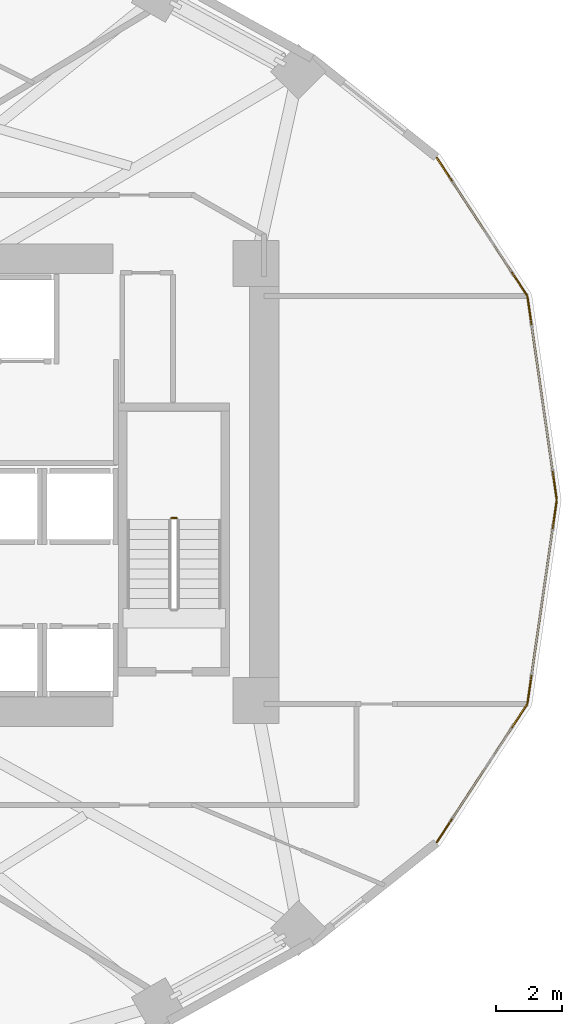
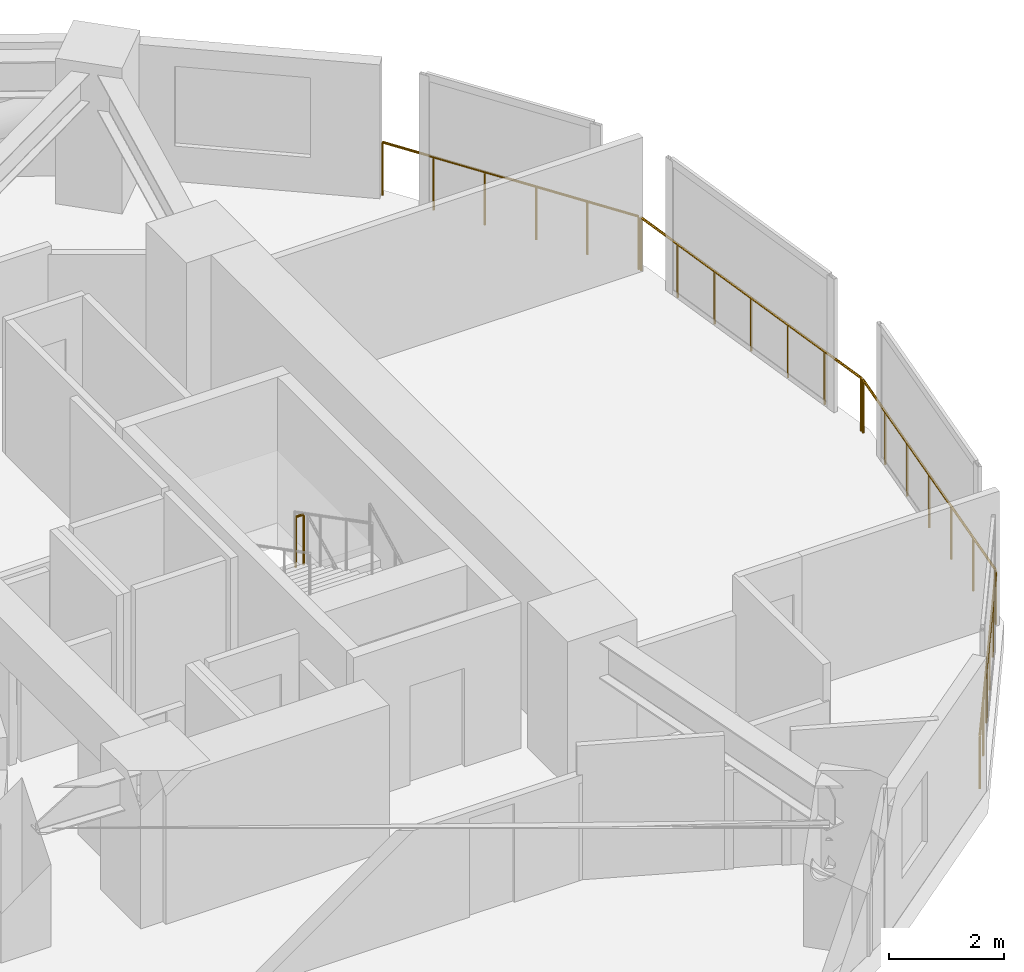
# One storey, part 14 of 15: 5 railings.
"""IFC4 building model written with IfcOpenShell, lengths in metres."""

import ifcopenshell
import ifcopenshell.guid

model = None  # the IFC model being written
_history = None  # IfcOwnerHistory: only IFC2X3 demands one
_inside = {}  # id of a spatial element -> (the spatial element, [elements in it])
_under = {}  # id of a project, library or spatial element -> (it, [spatial elements below it])
_declared = {}  # id of a project -> (the project, [libraries it declares])
_typed = {}  # id of a type object -> (the type object, [elements of that type])
_made_of = {}  # id of a material, layer set ... -> (it, [elements and type objects made of it])


def new_model(schema):
    """Start an empty IFC model of exactly this schema.

    Asked for "IFC4X3", IfcOpenShell would pick the latest addendum, in which some entities
    have other attributes; the version numbers below select the first issue.
    IFC2X3 requires an IfcOwnerHistory on every rooted entity: one is made here for all.
    """
    global model, _history
    if schema == "IFC4X3":
        model = ifcopenshell.file(schema_version=(4, 3, 0, 0))
    else:
        model = ifcopenshell.file(schema=schema)
    _inside.clear()
    _under.clear()
    _declared.clear()
    _typed.clear()
    _made_of.clear()
    _history = None
    if model.schema == "IFC2X3":
        org = make("IfcOrganization", Name="unknown")
        user = make(
            "IfcPersonAndOrganization",
            ThePerson=make("IfcPerson", FamilyName="unknown"),
            TheOrganization=org,
        )
        app = make(
            "IfcApplication",
            ApplicationDeveloper=org,
            Version="unknown",
            ApplicationFullName="unknown",
            ApplicationIdentifier="unknown",
        )
        _history = make(
            "IfcOwnerHistory",
            OwningUser=user,
            OwningApplication=app,
            ChangeAction="ADDED",
            CreationDate=0,
        )
    return model


def make(cls, **values):
    """One entity of the class cls with the attributes given. An attribute that is None is left unset."""
    return model.create_entity(
        cls, **{name: value for name, value in values.items() if value is not None}
    )


def rooted(cls, **values):
    """An entity with a GlobalId (a new one), such as an element, a storey or a relation."""
    return make(cls, GlobalId=ifcopenshell.guid.new(), OwnerHistory=_history, **values)


def si_unit(unit_type, name, prefix=None):
    """IfcSIUnit, for example si_unit("LENGTHUNIT", "METRE", prefix="MILLI")."""
    return make("IfcSIUnit", UnitType=unit_type, Prefix=prefix, Name=name)


def assignment(units):
    """IfcUnitAssignment: the units of a project."""
    return None if units is None else make("IfcUnitAssignment", Units=units)


def point(xyz):
    """IfcCartesianPoint."""
    return None if xyz is None else make("IfcCartesianPoint", Coordinates=xyz)


def direction(xyz):
    """IfcDirection."""
    return None if xyz is None else make("IfcDirection", DirectionRatios=xyz)


def frame(location, z_axis=None, x_axis=None):
    """IfcAxis2Placement3D, a coordinate frame: its origin and axes. An axis left out is left unset."""
    return make(
        "IfcAxis2Placement3D",
        Location=point(location),
        Axis=direction(z_axis),
        RefDirection=direction(x_axis),
    )


def frame_2d(location, x_axis=None):
    """IfcAxis2Placement2D, a coordinate frame in the plane: its origin and x axis."""
    return make(
        "IfcAxis2Placement2D", Location=point(location), RefDirection=direction(x_axis)
    )


def origin():
    """The frame at (0, 0, 0) with its axes left unset."""
    return frame((0.0, 0.0, 0.0))


def origin_2d():
    """The frame at (0, 0) in the plane with its x axis left unset."""
    return frame_2d((0.0, 0.0))


def place(relative_to, where):
    """IfcLocalPlacement: puts the frame where relative to a parent placement (None: the world)."""
    return make(
        "IfcLocalPlacement", PlacementRelTo=relative_to, RelativePlacement=where
    )


def context(
    kind, dimensions, precision=None, world=None, true_north=None, identifier=None
):
    """IfcGeometricRepresentationContext, for example the 3D "Model" context."""
    return make(
        "IfcGeometricRepresentationContext",
        ContextIdentifier=identifier,
        ContextType=kind,
        CoordinateSpaceDimension=dimensions,
        Precision=precision,
        WorldCoordinateSystem=world,
        TrueNorth=true_north,
    )


def subcontext(parent, identifier, kind, view, scale=None):
    """IfcGeometricRepresentationSubContext, for example "Body" below "Model"."""
    return make(
        "IfcGeometricRepresentationSubContext",
        ContextIdentifier=identifier,
        ContextType=kind,
        ParentContext=parent,
        TargetScale=scale,
        TargetView=view,
    )


def project(units=None, contexts=None):
    """IfcProject with its units and contexts."""
    return rooted(
        "IfcProject",
        Name="project",
        RepresentationContexts=contexts,
        UnitsInContext=assignment(units),
    )


def spatial(cls, under=None, at=None, **own):
    """A site, building, storey or space (cls), placed at a placement, below another one or the project."""
    s = rooted(cls, ObjectPlacement=at, **own)
    if under is not None:
        _under.setdefault(under.id(), (under, []))[1].append(s)
    return s


def profile(cls, at=None, kind="AREA", **sizes):
    """A parametric profile (cls). Its sizes go by their IFC names, for example OverallWidth=200.0."""
    return make(cls, ProfileType=kind, Position=at, **sizes)


def circle(**sizes):
    """IfcCircleProfileDef."""
    return profile("IfcCircleProfileDef", **sizes)


def extrude(swept, where, along, depth):
    """IfcExtrudedAreaSolid: the profile swept, set in the frame where, extruded along a direction by depth."""
    return make(
        "IfcExtrudedAreaSolid",
        SweptArea=swept,
        Position=where,
        ExtrudedDirection=direction(along),
        Depth=depth,
    )


def shape(context_of_items, identifier, shape_type, items):
    """IfcShapeRepresentation: the items that make up one representation, for example the "Body"."""
    return make(
        "IfcShapeRepresentation",
        ContextOfItems=context_of_items,
        RepresentationIdentifier=identifier,
        RepresentationType=shape_type,
        Items=items,
    )


def material(Name=None, Category=None):
    """IfcMaterial."""
    return make("IfcMaterial", Name=Name, Category=Category)


def made_of(thing, what):
    """Note that an element or type object is made of a material, layer set ...; save() writes the relation."""
    if what is not None:
        _made_of.setdefault(what.id(), (what, []))[1].append(thing)
    return thing


def type_object(cls, material=None, **own):
    """A type object (cls), such as IfcWallType, which elements share."""
    return made_of(rooted(cls, **own), material)


def element(
    cls,
    number,
    at=None,
    inside=None,
    cuts=None,
    type_object=None,
    material=None,
    context=None,
    identifier="Body",
    shape_type=None,
    held_by="IfcProductDefinitionShape",
    body=None,
    shapes=None,
    **own,
):
    """One element of the class cls, such as IfcWall. Its Tag is "e" and its number.

    at: its placement. inside: the storey or other place that contains it. cuts: it is an
    opening in that element (IfcRelVoidsElement). A single representation is given by context,
    identifier, shape_type and body (its items); several are given by shapes. held_by: the class
    of the entity that holds the representations. save() writes the other relations.
    """
    e = rooted(cls, Tag="e%d" % number, ObjectPlacement=at, **own)
    if body is not None:
        shapes = [shape(context, identifier, shape_type, body)]
    if shapes is not None:
        e.Representation = make(held_by, Representations=shapes)
    if inside is not None:
        _inside.setdefault(inside.id(), (inside, []))[1].append(e)
    if cuts is not None:
        rooted(
            "IfcRelVoidsElement", RelatingBuildingElement=cuts, RelatedOpeningElement=e
        )
    if type_object is not None:
        _typed.setdefault(type_object.id(), (type_object, []))[1].append(e)
    return made_of(e, material)


def aggregate(whole, parts):
    """IfcRelAggregates: a whole, such as a stair, and the parts it consists of."""
    return rooted("IfcRelAggregates", RelatingObject=whole, RelatedObjects=parts)


def save(model, path):
    """Write the relations noted so far, then the file.

    IfcRelAggregates (storeys below a building ...), IfcRelContainedInSpatialStructure (elements
    in a storey), IfcRelDefinesByType, IfcRelAssociatesMaterial and IfcRelDeclares: one each for
    every whole, place, type object, material and project.
    """
    for whole, parts in _under.values():
        aggregate(whole, parts)
    for where, things in _inside.values():
        rooted(
            "IfcRelContainedInSpatialStructure",
            RelatedElements=things,
            RelatingStructure=where,
        )
    for kind, things in _typed.values():
        rooted("IfcRelDefinesByType", RelatedObjects=things, RelatingType=kind)
    for what, things in _made_of.values():
        rooted("IfcRelAssociatesMaterial", RelatedObjects=things, RelatingMaterial=what)
    for by, libraries in _declared.values():
        rooted("IfcRelDeclares", RelatingContext=by, RelatedDefinitions=libraries)
    model.write(path)


model = new_model("IFC4")

# Units and contexts
model_context = context("Model", 3, precision=1e-05, world=origin(), true_north=direction((0.0, 1.0)))
body_context = subcontext(model_context, "Body", "Model", "MODEL_VIEW")
ifc_project = project(units=[si_unit("LENGTHUNIT", "METRE"), si_unit("AREAUNIT", "SQUARE_METRE"), si_unit("VOLUMEUNIT", "CUBIC_METRE"), si_unit("PLANEANGLEUNIT", "RADIAN"), si_unit("MASSUNIT", "GRAM", prefix="KILO")], contexts=[model_context])

# Site, building, storey
site_placement = place(None, origin())
site = spatial("IfcSite", under=ifc_project, at=site_placement, CompositionType="ELEMENT")
building_placement = place(site_placement, origin())
building = spatial("IfcBuilding", under=site, at=building_placement, Name="Solvane Sanctuary Tower", CompositionType="ELEMENT")
storey_placement = place(building_placement, frame((0.0, 0.0, 46.199951171875)))
storey = spatial("IfcBuildingStorey", under=building, at=storey_placement, Name="L13", CompositionType="ELEMENT", Elevation=46.199951171875)

# Railings
ifc_material = material(Name="Architectural Stainless Steel 316", Category="steel")
railing_type = type_object("IfcRailingType", Name="Railing GR-BALC-1150", PredefinedType="BALUSTRADE", material=ifc_material)
railing_1_placement = place(storey_placement, frame((57.855712890625, 23.02978515625, 0.0)))
element("IfcRailing", 1, at=railing_1_placement, inside=storey, type_object=railing_type, Name="L13 Curtain-Wall Perimeter Sill Guard 00", PredefinedType="BALUSTRADE", context=body_context, shape_type="SweptSolid", body=[
    extrude(circle(Radius=0.02392578125, at=origin_2d()), frame((0.0, 0.0, 1.1259765625), z_axis=(-0.142533222758, 0.989790018342, 0.0), x_axis=(-0.989790018342, -0.142533222758, 0.0)), (0.0, 0.0, 1.0), 6.209228515625),
    extrude(circle(Radius=0.02099609375, at=origin_2d()), origin(), (0.0, 0.0, 1.0), 1.101806640625),
    extrude(circle(Radius=0.02099609375, at=origin_2d()), frame((-0.1474609375, 1.0244140625, 0.0)), (0.0, 0.0, 1.0), 1.101806640625),
    extrude(circle(Radius=0.02099609375, at=origin_2d()), frame((-0.294921875, 2.048583984375, 0.0)), (0.0, 0.0, 1.0), 1.101806640625),
    extrude(circle(Radius=0.02099609375, at=origin_2d()), frame((-0.4423828125, 3.07275390625, 0.0)), (0.0, 0.0, 1.0), 1.101806640625),
    extrude(circle(Radius=0.02099609375, at=origin_2d()), frame((-0.590087890625, 4.09716796875, 0.0)), (0.0, 0.0, 1.0), 1.101806640625),
    extrude(circle(Radius=0.02099609375, at=origin_2d()), frame((-0.737548828125, 5.12158203125, 0.0)), (0.0, 0.0, 1.0), 1.101806640625),
    extrude(circle(Radius=0.02099609375, at=origin_2d()), frame((-0.885009765625, 6.145751953125, 0.0)), (0.0, 0.0, 1.0), 1.101806640625),
])
railing_2_placement = place(storey_placement, frame((56.9501953125, 29.23046875, 0.0)))
element("IfcRailing", 2, at=railing_2_placement, inside=storey, type_object=railing_type, Name="L13 Curtain-Wall Perimeter Sill Guard 01", PredefinedType="BALUSTRADE", context=body_context, shape_type="SweptSolid", body=[
    extrude(circle(Radius=0.02392578125, at=origin_2d()), frame((0.0, 0.0, 1.1259765625), z_axis=(-0.547709489546, 0.836668581376, 0.0), x_axis=(-0.836668581376, -0.547709489546, 0.0)), (0.0, 0.0, 1.0), 5.002685546875),
    extrude(circle(Radius=0.02099609375, at=origin_2d()), origin(), (0.0, 0.0, 1.0), 1.101806640625),
    extrude(circle(Radius=0.02099609375, at=origin_2d()), frame((-0.548095703125, 0.837158203125, 0.0)), (0.0, 0.0, 1.0), 1.101806640625),
    extrude(circle(Radius=0.02099609375, at=origin_2d()), frame((-1.095947265625, 1.67431640625, 0.0)), (0.0, 0.0, 1.0), 1.101806640625),
    extrude(circle(Radius=0.02099609375, at=origin_2d()), frame((-1.64404296875, 2.51123046875, 0.0)), (0.0, 0.0, 1.0), 1.101806640625),
    extrude(circle(Radius=0.02099609375, at=origin_2d()), frame((-2.19189453125, 3.348388671875, 0.0)), (0.0, 0.0, 1.0), 1.101806640625),
    extrude(circle(Radius=0.02099609375, at=origin_2d()), frame((-2.739990234375, 4.185546875, 0.0)), (0.0, 0.0, 1.0), 1.101806640625),
])
railing_3_placement = place(storey_placement, frame((54.210205078125, 12.583984375, 0.0)))
element("IfcRailing", 3, at=railing_3_placement, inside=storey, type_object=railing_type, Name="L13 Curtain-Wall Perimeter Sill Guard 22", PredefinedType="BALUSTRADE", context=body_context, shape_type="SweptSolid", body=[
    extrude(circle(Radius=0.02392578125, at=origin_2d()), frame((0.0, 0.0, 1.1259765625), z_axis=(0.547709489546, 0.836668581376, 0.0), x_axis=(-0.836668581376, 0.547709489546, 0.0)), (0.0, 0.0, 1.0), 5.002685546875),
    extrude(circle(Radius=0.02099609375, at=origin_2d()), origin(), (0.0, 0.0, 1.0), 1.101806640625),
    extrude(circle(Radius=0.02099609375, at=origin_2d()), frame((0.548095703125, 0.837158203125, 0.0)), (0.0, 0.0, 1.0), 1.101806640625),
    extrude(circle(Radius=0.02099609375, at=origin_2d()), frame((1.095947265625, 1.67431640625, 0.0)), (0.0, 0.0, 1.0), 1.101806640625),
    extrude(circle(Radius=0.02099609375, at=origin_2d()), frame((1.64404296875, 2.51123046875, 0.0)), (0.0, 0.0, 1.0), 1.101806640625),
    extrude(circle(Radius=0.02099609375, at=origin_2d()), frame((2.19189453125, 3.348388671875, 0.0)), (0.0, 0.0, 1.0), 1.101806640625),
    extrude(circle(Radius=0.02099609375, at=origin_2d()), frame((2.739990234375, 4.185546875, 0.0)), (0.0, 0.0, 1.0), 1.101806640625),
])
railing_4_placement = place(storey_placement, frame((56.970703125, 16.824462890625, 0.0)))
element("IfcRailing", 4, at=railing_4_placement, inside=storey, type_object=railing_type, Name="L13 Curtain-Wall Perimeter Sill Guard 23", PredefinedType="BALUSTRADE", context=body_context, shape_type="SweptSolid", body=[
    extrude(circle(Radius=0.02392578125, at=origin_2d()), frame((0.0, 0.0, 1.1259765625), z_axis=(0.142533222758, 0.989790018342, 0.0), x_axis=(-0.989790018342, 0.142533222758, 0.0)), (0.0, 0.0, 1.0), 6.209228515625),
    extrude(circle(Radius=0.02099609375, at=origin_2d()), origin(), (0.0, 0.0, 1.0), 1.101806640625),
    extrude(circle(Radius=0.02099609375, at=origin_2d()), frame((0.1474609375, 1.0244140625, 0.0)), (0.0, 0.0, 1.0), 1.101806640625),
    extrude(circle(Radius=0.02099609375, at=origin_2d()), frame((0.294921875, 2.048583984375, 0.0)), (0.0, 0.0, 1.0), 1.101806640625),
    extrude(circle(Radius=0.02099609375, at=origin_2d()), frame((0.4423828125, 3.07275390625, 0.0)), (0.0, 0.0, 1.0), 1.101806640625),
    extrude(circle(Radius=0.02099609375, at=origin_2d()), frame((0.590087890625, 4.09716796875, 0.0)), (0.0, 0.0, 1.0), 1.101806640625),
    extrude(circle(Radius=0.02099609375, at=origin_2d()), frame((0.737548828125, 5.12158203125, 0.0)), (0.0, 0.0, 1.0), 1.101806640625),
    extrude(circle(Radius=0.02099609375, at=origin_2d()), frame((0.885009765625, 6.145751953125, 0.0)), (0.0, 0.0, 1.0), 1.101806640625),
])
railing_5_placement = place(storey_placement, frame((46.2900390625, 22.449951171875, 1.550048828125)))
element("IfcRailing", 5, at=railing_5_placement, inside=storey, type_object=railing_type, Name="L13 ST-2 stair guard 2", PredefinedType="BALUSTRADE", context=body_context, shape_type="SweptSolid", body=[
    extrude(circle(Radius=0.02392578125, at=origin_2d()), frame((0.0, 0.0, 1.076171875), z_axis=(-1.0, 0.0, 0.0), x_axis=(0.0, -1.0, 0.0)), (0.0, 0.0, 1.0), 0.16015625),
    extrude(circle(Radius=0.02099609375, at=origin_2d()), origin(), (0.0, 0.0, 1.0), 1.052001953125),
    extrude(circle(Radius=0.02099609375, at=origin_2d()), frame((-0.16015625, 0.0, 0.0)), (0.0, 0.0, 1.0), 1.052001953125),
])

save(model, "model.ifc")
